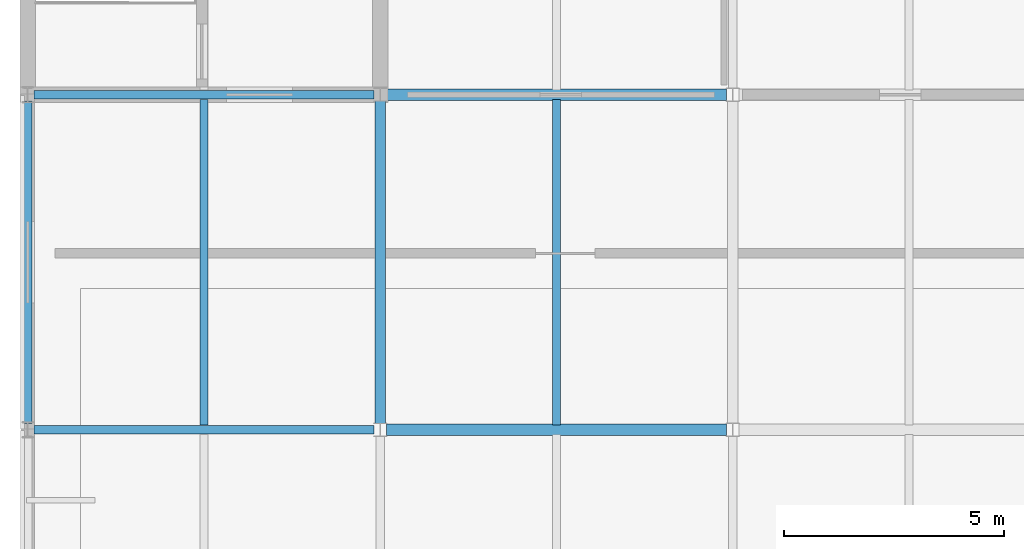
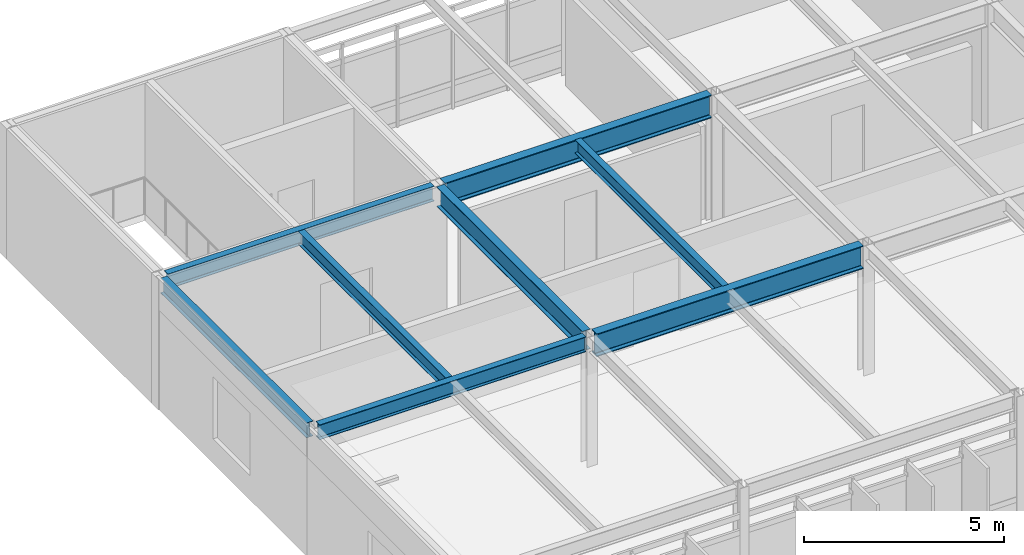
# One storey, part 5 of 17: 8 beams.
"""IFC4 building model written with IfcOpenShell, lengths in metres."""

from ifc_helpers import new_model, si_unit, direction, frame, origin, origin_2d, place, context, subcontext, project, spatial, i_section, extrude, material, material_profile, profile_set, type_object, element, save


model = new_model("IFC4")

# Units and contexts
model_context = context("Model", 3, precision=1e-05, world=origin(), true_north=direction((0.0, 1.0)))
body_context = subcontext(model_context, "Body", "Model", "MODEL_VIEW")
ifc_project = project(units=[si_unit("LENGTHUNIT", "METRE"), si_unit("AREAUNIT", "SQUARE_METRE"), si_unit("VOLUMEUNIT", "CUBIC_METRE"), si_unit("PLANEANGLEUNIT", "RADIAN"), si_unit("MASSUNIT", "GRAM", prefix="KILO")], contexts=[model_context])

# Site, building, storey
site_placement = place(None, origin())
site = spatial("IfcSite", under=ifc_project, at=site_placement, CompositionType="ELEMENT")
building_placement = place(site_placement, origin())
building = spatial("IfcBuilding", under=site, at=building_placement, Name="Zulena Civic Courthouse", CompositionType="ELEMENT")
storey_placement = place(building_placement, frame((0.0, 0.0, 42.0)))
storey = spatial("IfcBuildingStorey", under=building, at=storey_placement, Name="L09", CompositionType="ELEMENT", Elevation=42.0)

# Beams
ifc_material = material(Name="Steel ASTM A992 Grade 50", Category="steel")
ifc_material_profile_1 = material_profile(ifc_material, i_section(OverallWidth=0.22802734375, OverallDepth=0.60693359375, WebThickness=0.01123046875, FlangeThickness=0.017333984375, FilletRadius=0.0126953125, at=origin_2d()), Name="W24X76")
ifc_profile_set_1 = profile_set([ifc_material_profile_1], Name="Steel ASTM A992 Grade 50")
beam_type_1 = type_object("IfcBeamType", Name="Girder_W24X76", PredefinedType="BEAM", material=ifc_profile_set_1)
beam_1_placement = place(storey_placement, frame((28.0, 7.7451171875, 3.69140625), z_axis=(0.0, 1.0, 0.0), x_axis=(-1.0, 0.0, 0.0)))
element("IfcBeam", 1, at=beam_1_placement, inside=storey, type_object=beam_type_1, Name="beam:Y:V2:L09:28.0:7.6_15.2", PredefinedType="BEAM", context=body_context, shape_type="SweptSolid", body=[
    extrude(i_section(OverallWidth=0.22802734375, OverallDepth=0.60693359375, WebThickness=0.01123046875, FlangeThickness=0.017333984375, FilletRadius=0.0126953125, at=origin_2d()), origin(), (0.0, 0.0, 1.0), 7.309814453125),
])
ifc_material_profile_2 = material_profile(ifc_material, i_section(OverallWidth=0.25390625, OverallDepth=0.701904296875, WebThickness=0.015380859375, FlangeThickness=0.02783203125, FilletRadius=0.0166015625, at=origin_2d()), Name="W27X129")
ifc_profile_set_2 = profile_set([ifc_material_profile_2], Name="Steel ASTM A992 Grade 50")
beam_type_2 = type_object("IfcBeamType", Name="Girder_W27X129", PredefinedType="BEAM", material=ifc_profile_set_2)
for number, where, z_axis, x_axis, name in (
    (2, (28.14501953125, 7.60009765625, 3.64404296875), (1.0, 0.0, 0.0), (0.0, 1.0, 0.0), "beam:X:V2:L09:7.6:28.0_36.0"),
    (3, (28.14501953125, 15.199951171875, 3.64404296875), (1.0, 0.0, 0.0), (0.0, 1.0, 0.0), "beam:X:V2:L09:15.2:28.0_36.0"),
):
    element("IfcBeam", number, at=place(storey_placement, frame(where, z_axis=z_axis, x_axis=x_axis)), inside=storey, type_object=beam_type_2, Name=name, PredefinedType="BEAM", context=body_context, shape_type="SweptSolid", body=[
        extrude(i_section(OverallWidth=0.25390625, OverallDepth=0.701904296875, WebThickness=0.015380859375, FlangeThickness=0.02783203125, FilletRadius=0.0166015625, at=origin_2d()), origin(), (0.0, 0.0, 1.0), 7.7099609375),
    ])
ifc_material_profile_3 = material_profile(ifc_material, i_section(OverallWidth=0.177978515625, OverallDepth=0.406005859375, WebThickness=0.0078125, FlangeThickness=0.0126953125, FilletRadius=0.01025390625, at=origin_2d()), Name="W16X40")
ifc_profile_set_3 = profile_set([ifc_material_profile_3], Name="Steel ASTM A992 Grade 50")
beam_type_3 = type_object("IfcBeamType", Name="Joist_W16X40", PredefinedType="JOIST", material=ifc_profile_set_3)
for number, where, z_axis, x_axis, name in (
    (4, (24.0, 7.705078125, 3.7919921875), (0.0, 1.0, 0.0), (-1.0, 0.0, 0.0), "joist:V2:L09:24.00:7.6_15.2"),
    (5, (32.0, 7.705078125, 3.7919921875), (0.0, 1.0, 0.0), (-1.0, 0.0, 0.0), "joist:V2:L09:32.00:7.6_15.2"),
):
    element("IfcBeam", number, at=place(storey_placement, frame(where, z_axis=z_axis, x_axis=x_axis)), inside=storey, type_object=beam_type_3, Name=name, PredefinedType="JOIST", context=body_context, shape_type="SweptSolid", body=[
        extrude(i_section(OverallWidth=0.177978515625, OverallDepth=0.406005859375, WebThickness=0.0078125, FlangeThickness=0.0126953125, FilletRadius=0.01025390625, at=origin_2d()), origin(), (0.0, 0.0, 1.0), 7.389892578125),
    ])
ifc_material_profile_4 = material_profile(ifc_material, i_section(OverallWidth=0.19091796875, OverallDepth=0.4599609375, WebThickness=0.010009765625, FlangeThickness=0.01611328125, FilletRadius=0.01025390625, at=origin_2d()), Name="W18X55")
ifc_profile_set_4 = profile_set([ifc_material_profile_4], Name="Steel ASTM A992 Grade 50")
beam_type_4 = type_object("IfcBeamType", Name="Spandrel_W18X55", PredefinedType="SPANDREL", material=ifc_profile_set_4)
for number, where, z_axis, x_axis, name in (
    (6, (20.14501953125, 7.60009765625, 3.764892578125), (1.0, 0.0, 0.0), (0.0, 1.0, 0.0), "beam:X:V2:L09:7.6:20.0_28.0"),
    (7, (20.14501953125, 15.199951171875, 3.764892578125), (1.0, 0.0, 0.0), (0.0, 1.0, 0.0), "beam:X:V2:L09:15.2:20.0_28.0"),
):
    element("IfcBeam", number, at=place(storey_placement, frame(where, z_axis=z_axis, x_axis=x_axis)), inside=storey, type_object=beam_type_4, Name=name, PredefinedType="SPANDREL", context=body_context, shape_type="SweptSolid", body=[
        extrude(i_section(OverallWidth=0.19091796875, OverallDepth=0.4599609375, WebThickness=0.010009765625, FlangeThickness=0.01611328125, FilletRadius=0.01025390625, at=origin_2d()), origin(), (0.0, 0.0, 1.0), 7.7099609375),
    ])
beam_2_placement = place(storey_placement, frame((20.0, 7.7451171875, 3.764892578125), z_axis=(0.0, 1.0, 0.0), x_axis=(-1.0, 0.0, 0.0)))
element("IfcBeam", 8, at=beam_2_placement, inside=storey, type_object=beam_type_4, Name="beam:Y:V2:L09:20.0:7.6_15.2", PredefinedType="SPANDREL", context=body_context, shape_type="SweptSolid", body=[
    extrude(i_section(OverallWidth=0.19091796875, OverallDepth=0.4599609375, WebThickness=0.010009765625, FlangeThickness=0.01611328125, FilletRadius=0.01025390625, at=origin_2d()), origin(), (0.0, 0.0, 1.0), 7.309814453125),
])

save(model, "model.ifc")
